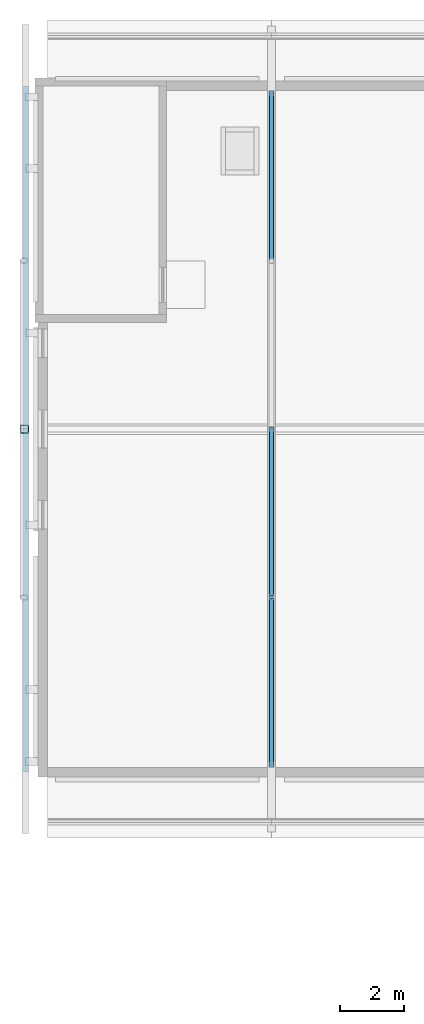
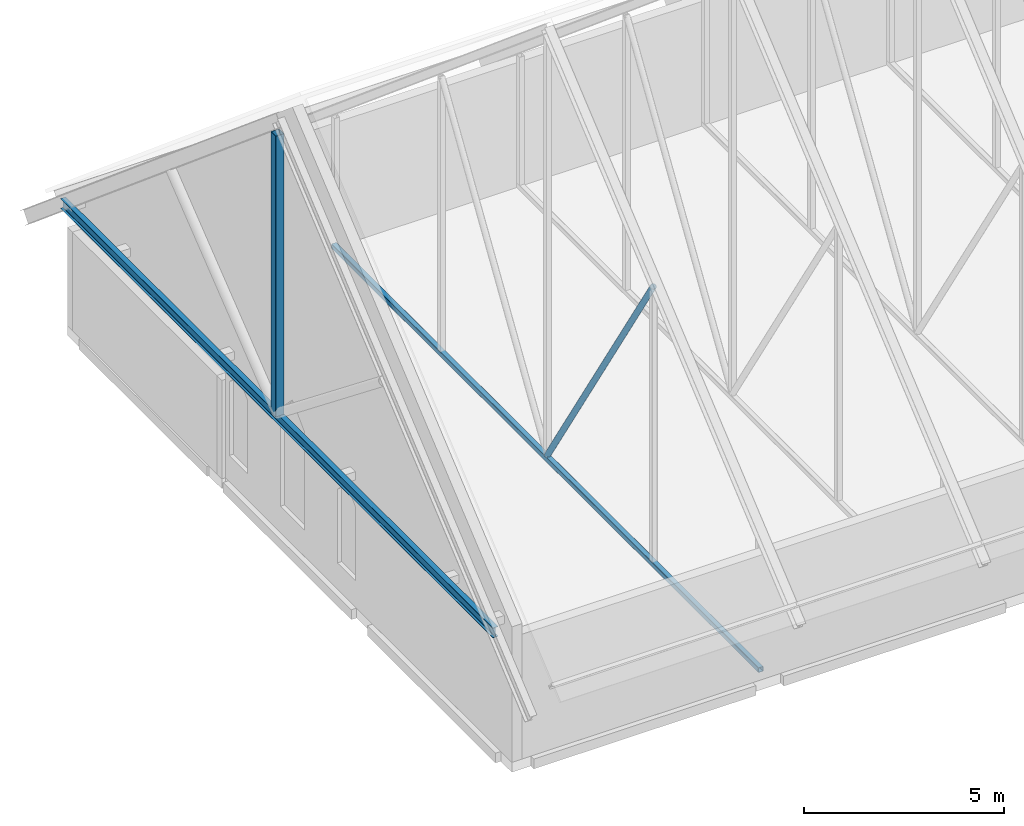
# One storey, part 4 of 29: 4 members.
"""IFC4 building model written with IfcOpenShell, lengths in metres."""

from ifc_helpers import new_model, si_unit, direction, frame, origin, origin_2d, place, context, subcontext, project, spatial, hollow_rectangle, hollow_circle, i_section, extrude, material, material_profile, profile_set, type_object, element, save


model = new_model("IFC4")

# Units and contexts
model_context = context("Model", 3, precision=1e-05, world=origin(), true_north=direction((0.0, 1.0)))
body_context = subcontext(model_context, "Body", "Model", "MODEL_VIEW")
ifc_project = project(units=[si_unit("LENGTHUNIT", "METRE"), si_unit("AREAUNIT", "SQUARE_METRE"), si_unit("VOLUMEUNIT", "CUBIC_METRE"), si_unit("PLANEANGLEUNIT", "RADIAN"), si_unit("MASSUNIT", "GRAM", prefix="KILO")], contexts=[model_context])

# Site, building, storey
site_placement = place(None, origin())
site = spatial("IfcSite", under=ifc_project, at=site_placement, CompositionType="ELEMENT")
building_placement = place(site_placement, origin())
building = spatial("IfcBuilding", under=site, at=building_placement, Name="Silangan Lancet Faculty of Sciences", CompositionType="ELEMENT")
storey_placement = place(building_placement, frame((0.0, 0.0, 54.300048828125)))
storey = spatial("IfcBuildingStorey", under=building, at=storey_placement, Name="L11", CompositionType="ELEMENT", Elevation=54.300048828125)

# Members
ifc_material_1 = material(Name="Steel SS400", Category="steel")
ifc_material_profile_1 = material_profile(ifc_material_1, i_section(OverallWidth=0.14990234375, OverallDepth=0.300048828125, WebThickness=0.006591796875, FlangeThickness=0.009033203125, FilletRadius=0.012939453125, at=origin_2d()), Name="H 300x150x6.5x9")
ifc_profile_set_1 = profile_set([ifc_material_profile_1], Name="Steel SS400")
member_type_1 = type_object("IfcMemberType", Name="Canopy rafter H 300x150x6.5x9", PredefinedType="RAFTER", material=ifc_profile_set_1)
member_1_placement = place(storey_placement, frame((-0.52490234375, 36.010498046875, 4.0), z_axis=(0.0, 1.0, 0.0), x_axis=(-1.0, 0.0, 0.0)))
element("IfcMember", 1, at=member_1_placement, inside=storey, type_object=member_type_1, Name="Gable truss tie", PredefinedType="RAFTER", context=body_context, shape_type="SweptSolid", body=[
    extrude(i_section(OverallWidth=0.14990234375, OverallDepth=0.300048828125, WebThickness=0.006591796875, FlangeThickness=0.009033203125, FilletRadius=0.012939453125, at=origin_2d()), origin(), (0.0, 0.0, 1.0), 21.5791015625),
])
ifc_material_2 = material(Name="Steel STKR400", Category="steel")
ifc_material_profile_2 = material_profile(ifc_material_2, hollow_rectangle(XDim=0.25, YDim=0.25, WallThickness=0.009033203125, InnerFilletRadius=0.009033203125, OuterFilletRadius=0.01806640625, at=origin_2d()), Name="SHS 250x250x9.0")
ifc_profile_set_2 = profile_set([ifc_material_profile_2], Name="Steel STKR400")
member_type_2 = type_object("IfcMemberType", Name="Gable truss post SHS 250x250x9.0", PredefinedType="POST", material=ifc_profile_set_2)
member_2_placement = place(storey_placement, frame((-0.574951171875, 46.800048828125, 4.14990234375), z_axis=(0.0, 0.0, 1.0), x_axis=(1.0, 0.0, 0.0)))
element("IfcMember", 2, at=member_2_placement, inside=storey, type_object=member_type_2, Name="Gable truss king post", PredefinedType="POST", context=body_context, shape_type="SweptSolid", body=[
    extrude(hollow_rectangle(XDim=0.25, YDim=0.25, WallThickness=0.009033203125, InnerFilletRadius=0.009033203125, OuterFilletRadius=0.01806640625, at=origin_2d()), origin(), (0.0, 0.0, 1.0), 8.547119140625),
])
ifc_material_3 = material(Name="Steel STKR400", Category="steel")
ifc_material_profile_3 = material_profile(ifc_material_3, hollow_rectangle(XDim=0.14990234375, YDim=0.14990234375, WallThickness=0.009033203125, InnerFilletRadius=0.009033203125, OuterFilletRadius=0.01806640625, at=origin_2d()), Name="SHS 150x150x9.0")
ifc_profile_set_3 = profile_set([ifc_material_profile_3], Name="Steel STKR400")
member_type_3 = type_object("IfcMemberType", Name="Truss bottom chord SHS 150x150x9.0", PredefinedType="CHORD", material=ifc_profile_set_3)
member_3_placement = place(storey_placement, frame((7.199951171875, 36.14990234375, 0.074951171875), z_axis=(0.0, 1.0, 0.0), x_axis=(-1.0, 0.0, 0.0)))
element("IfcMember", 3, at=member_3_placement, inside=storey, type_object=member_type_3, Name="Gable truss 1 tie", PredefinedType="CHORD", context=body_context, shape_type="SweptSolid", body=[
    extrude(hollow_rectangle(XDim=0.14990234375, YDim=0.14990234375, WallThickness=0.009033203125, InnerFilletRadius=0.009033203125, OuterFilletRadius=0.01806640625, at=origin_2d()), origin(), (0.0, 0.0, 1.0), 21.300048828125),
])
ifc_material_4 = material(Name="Steel STK400", Category="steel")
ifc_material_profile_4 = material_profile(ifc_material_4, hollow_circle(Radius=0.08251953125, WallThickness=0.0048828125, at=origin_2d()), Name="CHS 165.2x5.0")
ifc_profile_set_4 = profile_set([ifc_material_profile_4], Name="Steel STK400")
member_type_4 = type_object("IfcMemberType", Name="Truss diagonal CHS 165.2x5.0", PredefinedType="BRACE", material=ifc_profile_set_4)
member_4_placement = place(storey_placement, frame((7.199951171875, 46.800048828125, 0.14990234375), z_axis=(0.0, -0.535296081425, 0.84466449269), x_axis=(1.0, 0.0, 0.0)))
element("IfcMember", 4, at=member_4_placement, inside=storey, type_object=member_type_4, Name="Gable truss 1 diagonal S", PredefinedType="BRACE", context=body_context, shape_type="SweptSolid", body=[
    extrude(hollow_circle(Radius=0.08251953125, WallThickness=0.0048828125, at=origin_2d()), origin(), (0.0, 0.0, 1.0), 9.8779296875),
])

save(model, "model.ifc")
